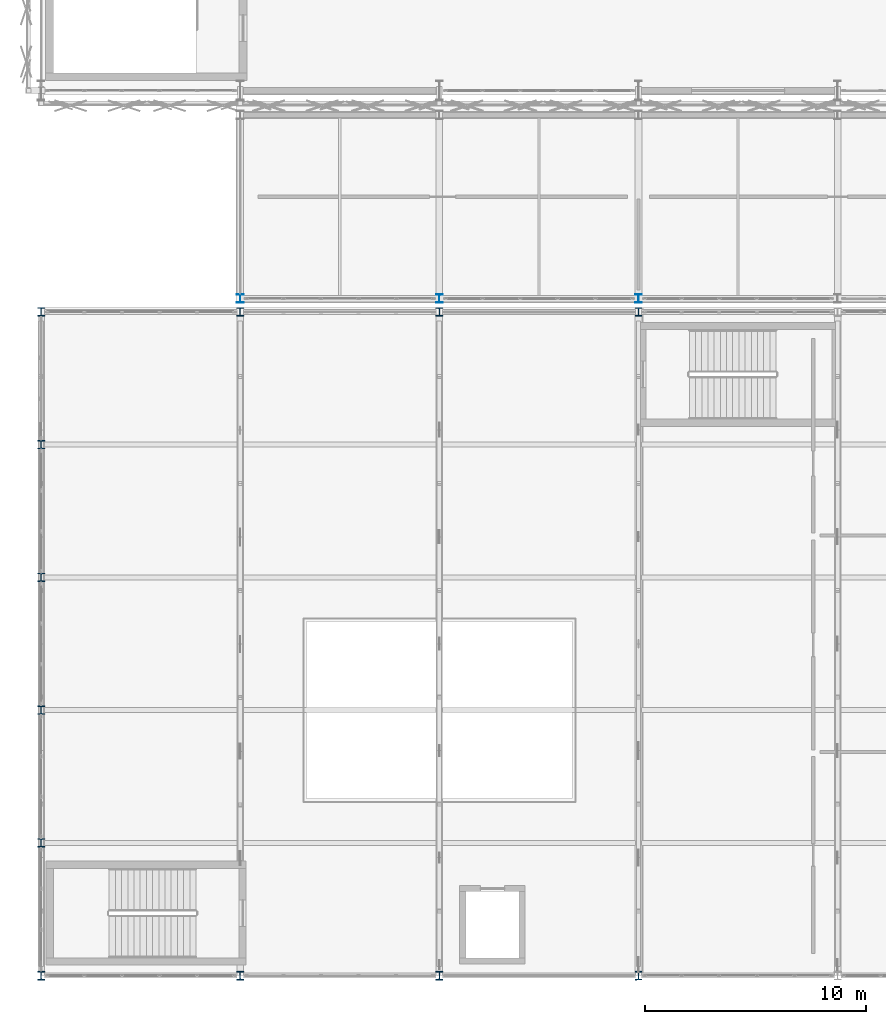
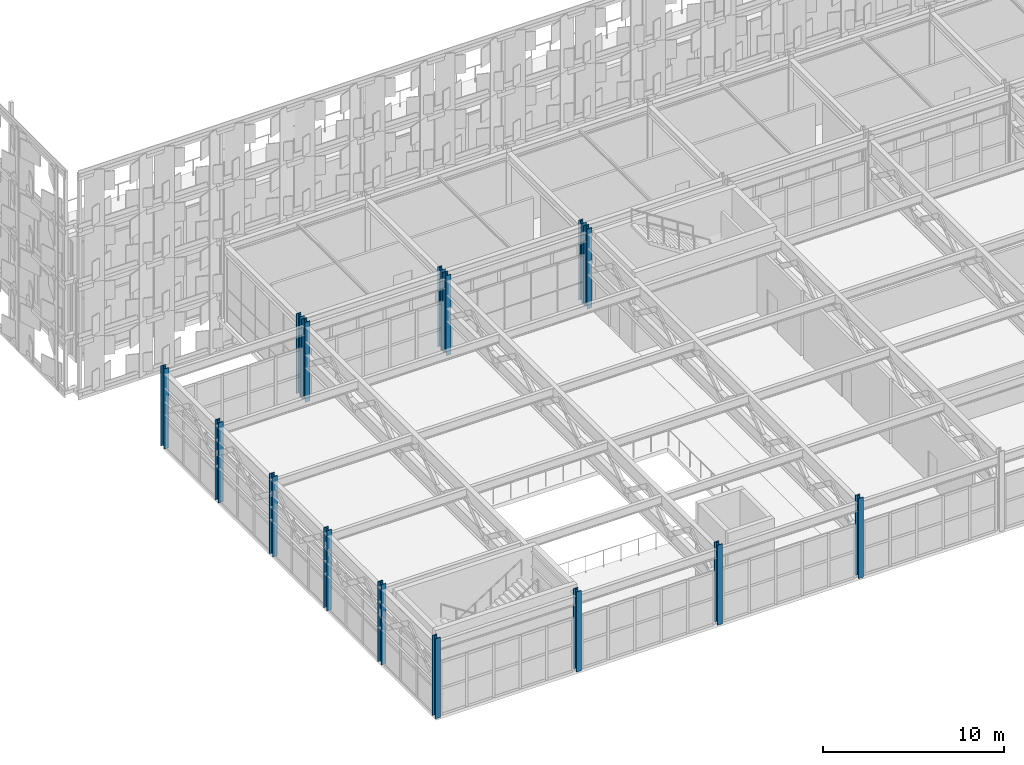
# One storey, part 1 of 210: 15 columns.
"""IFC4 building model written with IfcOpenShell, lengths in metres."""

from ifc_helpers import new_model, si_unit, direction, frame, origin, origin_2d, place, context, subcontext, project, spatial, i_section, extrude, material, material_profile, profile_set, type_object, element, save


model = new_model("IFC4")

# Units and contexts
model_context = context("Model", 3, precision=1e-05, world=origin(), true_north=direction((0.0, 1.0)))
body_context = subcontext(model_context, "Body", "Model", "MODEL_VIEW")
ifc_project = project(units=[si_unit("LENGTHUNIT", "METRE"), si_unit("AREAUNIT", "SQUARE_METRE"), si_unit("VOLUMEUNIT", "CUBIC_METRE"), si_unit("PLANEANGLEUNIT", "RADIAN"), si_unit("MASSUNIT", "GRAM", prefix="KILO")], contexts=[model_context])

# Site, building, storey
site_placement = place(None, origin())
site = spatial("IfcSite", under=ifc_project, at=site_placement, CompositionType="ELEMENT")
building_placement = place(site_placement, origin())
building = spatial("IfcBuilding", under=site, at=building_placement, Name="Kaldris Quays Convention Centre", CompositionType="ELEMENT")
storey_placement = place(building_placement, frame((0.0, 0.0, 6.0)))
storey = spatial("IfcBuildingStorey", under=building, at=storey_placement, Name="L01", CompositionType="ELEMENT", Elevation=6.0)

# Columns
ifc_material_1 = material(Name="Steel S460ML", Category="steel")
ifc_material_profile_1 = material_profile(ifc_material_1, i_section(OverallWidth=0.30810546875, OverallDepth=0.39501953125, WebThickness=0.02099609375, FlangeThickness=0.0400390625, FilletRadius=0.027099609375, at=origin_2d()), Name="HEM 360")
ifc_profile_set_1 = profile_set([ifc_material_profile_1], Name="Steel S460ML")
column_type_1 = type_object("IfcColumnType", Name="STRUCTURAL COLUMN CL02", PredefinedType="COLUMN", material=ifc_profile_set_1)
for number, where, z_axis, x_axis, name in (
    (1, (20.0, 16.0, 0.0), (0.0, 0.0, 1.0), (1.0, 0.0, 0.0), "L01 V3 Column CL02 (20.00, 16.00)"),
    (2, (20.0, 22.0, 0.0), (0.0, 0.0, 1.0), (1.0, 0.0, 0.0), "L01 V3 Column CL02 (20.00, 22.00)"),
    (3, (20.0, 28.0, 0.0), (0.0, 0.0, 1.0), (1.0, 0.0, 0.0), "L01 V3 Column CL02 (20.00, 28.00)"),
    (4, (20.0, 34.0, 0.0), (0.0, 0.0, 1.0), (1.0, 0.0, 0.0), "L01 V3 Column CL02 (20.00, 34.00)"),
    (5, (20.0, 40.0, 0.0), (0.0, 0.0, 1.0), (1.0, 0.0, 0.0), "L01 V3 Column CL02 (20.00, 40.00)"),
    (6, (20.0, 46.0, 0.0), (0.0, 0.0, 1.0), (1.0, 0.0, 0.0), "L01 V3 Column CL02 (20.00, 46.00)"),
    (7, (29.0, 16.0, 0.0), (0.0, 0.0, 1.0), (1.0, 0.0, 0.0), "L01 V3 Column CL02 (29.00, 16.00)"),
    (8, (29.0, 46.0, 0.0), (0.0, 0.0, 1.0), (1.0, 0.0, 0.0), "L01 V3 Column CL02 (29.00, 46.00)"),
    (9, (38.0, 16.0, 0.0), (0.0, 0.0, 1.0), (1.0, 0.0, 0.0), "L01 V3 Column CL02 (38.00, 16.00)"),
    (10, (38.0, 46.0, 0.0), (0.0, 0.0, 1.0), (1.0, 0.0, 0.0), "L01 V3 Column CL02 (38.00, 46.00)"),
    (11, (47.0, 16.0, 0.0), (0.0, 0.0, 1.0), (1.0, 0.0, 0.0), "L01 V3 Column CL02 (47.00, 16.00)"),
    (12, (47.0, 46.0, 0.0), (0.0, 0.0, 1.0), (1.0, 0.0, 0.0), "L01 V3 Column CL02 (47.00, 46.00)"),
):
    element("IfcColumn", number, at=place(storey_placement, frame(where, z_axis=z_axis, x_axis=x_axis)), inside=storey, type_object=column_type_1, Name=name, PredefinedType="COLUMN", context=body_context, shape_type="SweptSolid", body=[
        extrude(i_section(OverallWidth=0.30810546875, OverallDepth=0.39501953125, WebThickness=0.02099609375, FlangeThickness=0.0400390625, FilletRadius=0.027099609375, at=origin_2d()), origin(), (0.0, 0.0, 1.0), 5.39990234375),
    ])
ifc_material_2 = material(Name="Steel S355J2", Category="steel")
ifc_material_profile_2 = material_profile(ifc_material_2, i_section(OverallWidth=0.300048828125, OverallDepth=0.389892578125, WebThickness=0.010986328125, FlangeThickness=0.01904296875, FilletRadius=0.027099609375, at=origin_2d()), Name="HEA 400")
ifc_profile_set_2 = profile_set([ifc_material_profile_2], Name="Steel S355J2")
column_type_2 = type_object("IfcColumnType", Name="STRUCTURAL COLUMN CL12", PredefinedType="COLUMN", material=ifc_profile_set_2)
for number, where, z_axis, x_axis, name in (
    (13, (29.0, 46.60009765625, 0.0), (0.0, 0.0, 1.0), (1.0, 0.0, 0.0), "L01 V4 Column CL12 (29.00, 46.60)"),
    (14, (38.0, 46.60009765625, 0.0), (0.0, 0.0, 1.0), (1.0, 0.0, 0.0), "L01 V4 Column CL12 (38.00, 46.60)"),
    (15, (47.0, 46.60009765625, 0.0), (0.0, 0.0, 1.0), (1.0, 0.0, 0.0), "L01 V4 Column CL12 (47.00, 46.60)"),
):
    element("IfcColumn", number, at=place(storey_placement, frame(where, z_axis=z_axis, x_axis=x_axis)), inside=storey, type_object=column_type_2, Name=name, PredefinedType="COLUMN", context=body_context, shape_type="SweptSolid", body=[
        extrude(i_section(OverallWidth=0.300048828125, OverallDepth=0.389892578125, WebThickness=0.010986328125, FlangeThickness=0.01904296875, FilletRadius=0.027099609375, at=origin_2d()), origin(), (0.0, 0.0, 1.0), 5.39990234375),
    ])

save(model, "model.ifc")
